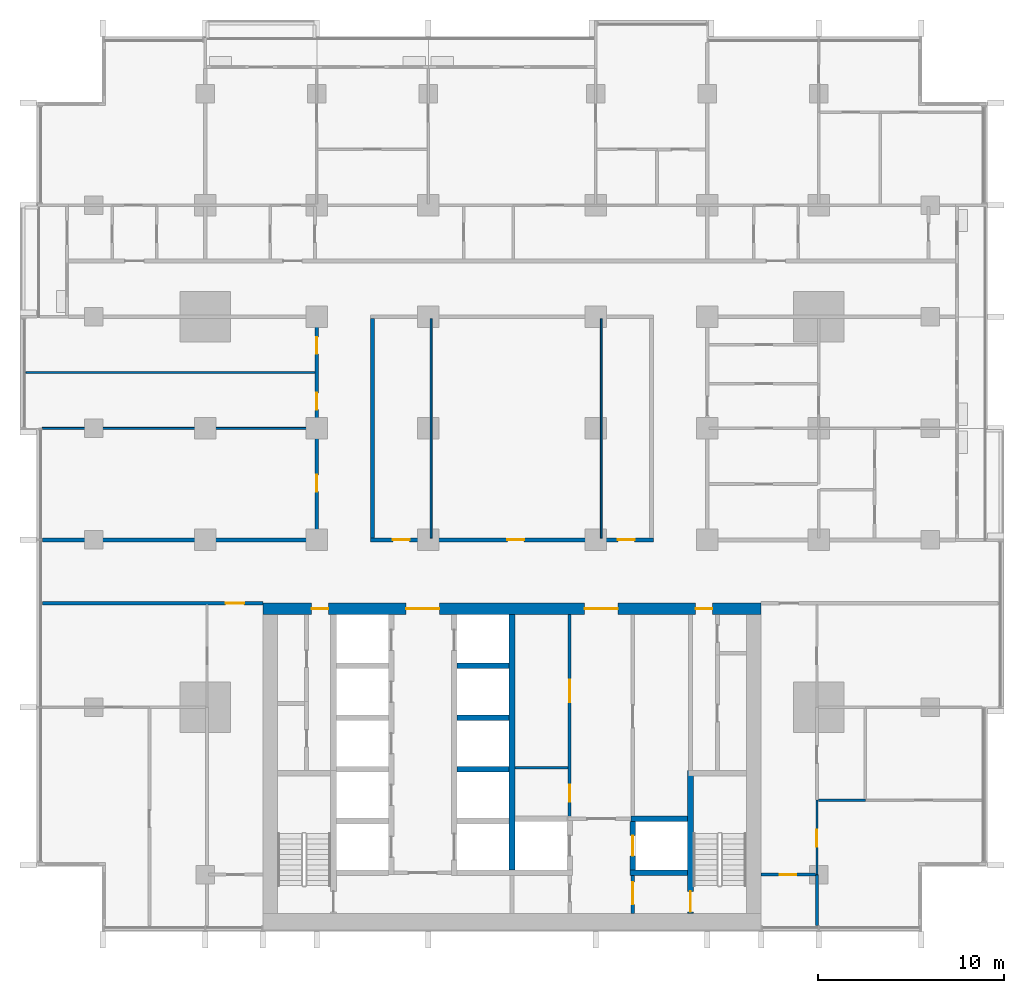
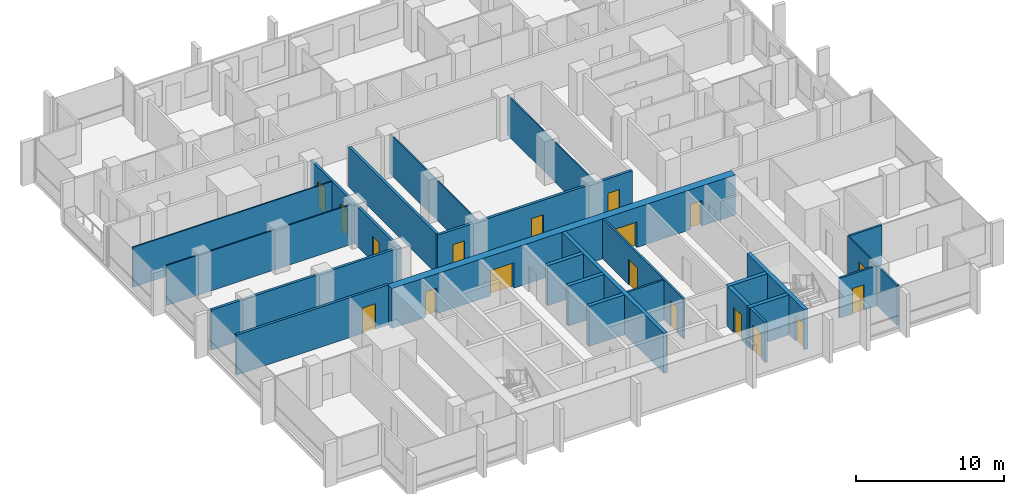
# One storey, part 8 of 17: 25 walls, 18 doors, 18 openings.
"""IFC4 building model written with IfcOpenShell, lengths in metres."""

from ifc_helpers import new_model, si_unit, direction, frame, frame_2d, origin, place, context, subcontext, project, spatial, rectangle, extrude, material, layer, layer_set, type_object, element, fill, save


model = new_model("IFC4")

# Units and contexts
model_context = context("Model", 3, precision=1e-05, world=origin(), true_north=direction((0.0, 1.0)))
body_context = subcontext(model_context, "Body", "Model", "MODEL_VIEW")
ifc_project = project(units=[si_unit("LENGTHUNIT", "METRE"), si_unit("AREAUNIT", "SQUARE_METRE"), si_unit("VOLUMEUNIT", "CUBIC_METRE"), si_unit("PLANEANGLEUNIT", "RADIAN"), si_unit("MASSUNIT", "GRAM", prefix="KILO")], contexts=[model_context])

# Site, building, storey
site_placement = place(None, origin())
site = spatial("IfcSite", under=ifc_project, at=site_placement, CompositionType="ELEMENT")
building_placement = place(site_placement, origin())
building = spatial("IfcBuilding", under=site, at=building_placement, Name="Finial Court Residences", CompositionType="ELEMENT")
storey_placement = place(building_placement, frame((0.0, 0.0, 95.5)))
storey = spatial("IfcBuildingStorey", under=building, at=storey_placement, Name="L23", CompositionType="ELEMENT", Elevation=95.5)

# Wall, openings, doors
ifc_material_1 = material(Name="Concrete C70/85", Category="concrete")
ifc_layer_1 = layer(ifc_material_1, 0.60009765625)
ifc_layer_set_1 = layer_set([ifc_layer_1], Name="Core outer wall 600 Concrete C70/85")
wall_type_1 = type_object("IfcWallType", Name="Core outer wall 600 Concrete C70/85", PredefinedType="SHEAR", material=ifc_layer_set_1)
wall_1_placement = place(storey_placement, frame((-13.39990234375, -8.199951171875, 0.0), z_axis=(0.0, 0.0, 1.0), x_axis=(1.0, 0.0, 0.0)))
wall_1 = element("IfcWall", 1, at=wall_1_placement, inside=storey, type_object=wall_type_1, Name="Core outer wall L23-02", PredefinedType="SHEAR", context=body_context, shape_type="SweptSolid", body=[
    extrude(rectangle(XDim=26.7998046875, YDim=0.60009765625, at=frame_2d((13.39990234375, 0.0))), origin(), (0.0, 0.0, 1.0), 3.300048828125),
])
opening_1_placement = place(wall_1_placement, frame((7.699951171875, 0.0, 0.0)))
opening_1 = element("IfcOpeningElement", 2, at=opening_1_placement, cuts=wall_1, Name="Opening L23-C04", PredefinedType="OPENING", context=body_context, shape_type="SweptSolid", body=[
    extrude(rectangle(XDim=1.800048828125, YDim=2.10009765625, at=frame_2d((0.89990234375, 1.050048828125))), frame((0.0, 0.31005859375, 0.0), z_axis=(0.0, -1.0, 0.0), x_axis=(1.0, 0.0, 0.0)), (0.0, 0.0, 1.0), 0.6201171875),
])
opening_2_placement = place(wall_1_placement, frame((17.300048828125, 0.0, 0.0)))
opening_2 = element("IfcOpeningElement", 3, at=opening_2_placement, cuts=wall_1, Name="Opening L23-C05", PredefinedType="OPENING", context=body_context, shape_type="SweptSolid", body=[
    extrude(rectangle(XDim=1.800048828125, YDim=2.10009765625, at=frame_2d((0.89990234375, 1.050048828125))), frame((0.0, 0.31005859375, 0.0), z_axis=(0.0, -1.0, 0.0), x_axis=(1.0, 0.0, 0.0)), (0.0, 0.0, 1.0), 0.6201171875),
])
opening_3_placement = place(wall_1_placement, frame((2.625, 0.0, 0.0)))
opening_3 = element("IfcOpeningElement", 4, at=opening_3_placement, cuts=wall_1, Name="Opening L23-C10", PredefinedType="OPENING", context=body_context, shape_type="SweptSolid", body=[
    extrude(rectangle(XDim=0.89990234375, YDim=2.10009765625, at=frame_2d((0.449951171875, 1.050048828125))), frame((0.0, 0.31005859375, 0.0), z_axis=(0.0, -1.0, 0.0), x_axis=(1.0, 0.0, 0.0)), (0.0, 0.0, 1.0), 0.6201171875),
])
opening_4_placement = place(wall_1_placement, frame((23.27490234375, 0.0, 0.0)))
opening_4 = element("IfcOpeningElement", 5, at=opening_4_placement, cuts=wall_1, Name="Opening L23-C11", PredefinedType="OPENING", context=body_context, shape_type="SweptSolid", body=[
    extrude(rectangle(XDim=0.89990234375, YDim=2.10009765625, at=frame_2d((0.449951171875, 1.050048828125))), frame((0.0, 0.31005859375, 0.0), z_axis=(0.0, -1.0, 0.0), x_axis=(1.0, 0.0, 0.0)), (0.0, 0.0, 1.0), 0.6201171875),
])
ifc_material_2 = material(Name="Steel fire door", Category="steel")
door_type_1 = type_object("IfcDoorType", Name="Lift lobby door 1800 x 2100 EI 60", OperationType="DOUBLE_DOOR_SINGLE_SWING", PredefinedType="DOOR", material=ifc_material_2)
door_1_placement = place(opening_1_placement, origin())
door_1 = element("IfcDoor", 6, at=door_1_placement, inside=storey, type_object=door_type_1, Name="Lift lobby door L23-C04", OperationType="DOUBLE_DOOR_SINGLE_SWING", OverallHeight=2.10009765625, OverallWidth=1.800048828125, PredefinedType="DOOR", context=body_context, shape_type="SweptSolid", body=[
    extrude(rectangle(XDim=1.800048828125, YDim=2.10009765625, at=frame_2d((0.89990234375, 1.050048828125))), frame((0.0, 0.02490234375, 0.0), z_axis=(0.0, -1.0, 0.0), x_axis=(1.0, 0.0, 0.0)), (0.0, 0.0, 1.0), 0.050048828125),
])
fill(opening_1, door_1)
door_2_placement = place(opening_2_placement, origin())
door_2 = element("IfcDoor", 7, at=door_2_placement, inside=storey, type_object=door_type_1, Name="Lift lobby door L23-C05", OperationType="DOUBLE_DOOR_SINGLE_SWING", OverallHeight=2.10009765625, OverallWidth=1.800048828125, PredefinedType="DOOR", context=body_context, shape_type="SweptSolid", body=[
    extrude(rectangle(XDim=1.800048828125, YDim=2.10009765625, at=frame_2d((0.89990234375, 1.050048828125))), frame((0.0, 0.02490234375, 0.0), z_axis=(0.0, -1.0, 0.0), x_axis=(1.0, 0.0, 0.0)), (0.0, 0.0, 1.0), 0.050048828125),
])
fill(opening_2, door_2)
door_type_2 = type_object("IfcDoorType", Name="Riser room door 900 x 2100 EI 90", OperationType="NOTDEFINED", PredefinedType="DOOR", material=ifc_material_2)
door_3_placement = place(opening_3_placement, origin())
door_3 = element("IfcDoor", 8, at=door_3_placement, inside=storey, type_object=door_type_2, Name="Riser room door L23-C10", OperationType="SINGLE_SWING_RIGHT", OverallHeight=2.10009765625, OverallWidth=0.89990234375, PredefinedType="DOOR", context=body_context, shape_type="SweptSolid", body=[
    extrude(rectangle(XDim=0.89990234375, YDim=2.10009765625, at=frame_2d((0.449951171875, 1.050048828125))), frame((0.0, 0.02490234375, 0.0), z_axis=(0.0, -1.0, 0.0), x_axis=(1.0, 0.0, 0.0)), (0.0, 0.0, 1.0), 0.050048828125),
])
fill(opening_3, door_3)
door_4_placement = place(opening_4_placement, origin())
door_4 = element("IfcDoor", 9, at=door_4_placement, inside=storey, type_object=door_type_2, Name="Riser room door L23-C11", OperationType="SINGLE_SWING_LEFT", OverallHeight=2.10009765625, OverallWidth=0.89990234375, PredefinedType="DOOR", context=body_context, shape_type="SweptSolid", body=[
    extrude(rectangle(XDim=0.89990234375, YDim=2.10009765625, at=frame_2d((0.449951171875, 1.050048828125))), frame((0.0, 0.02490234375, 0.0), z_axis=(0.0, -1.0, 0.0), x_axis=(1.0, 0.0, 0.0)), (0.0, 0.0, 1.0), 0.050048828125),
])
fill(opening_4, door_4)

# Wall
ifc_material_3 = material(Name="Fire-rated gypsum board partition")
ifc_layer_2 = layer(ifc_material_3, 0.14990234375)
ifc_layer_set_2 = layer_set([ifc_layer_2], Name="Core room partition 150 EI 60")
wall_type_2 = type_object("IfcWallType", Name="Core room partition 150 EI 60", PredefinedType="PARTITIONING", material=ifc_layer_set_2)
wall_2_placement = place(storey_placement, frame((0.14990234375, -16.75, 0.0), z_axis=(0.0, 0.0, 1.0), x_axis=(1.0, 0.0, 0.0)))
element("IfcWall", 10, at=wall_2_placement, inside=storey, type_object=wall_type_2, Name="Core partition L23-14", PredefinedType="PARTITIONING", context=body_context, shape_type="SweptSolid", body=[
    extrude(rectangle(XDim=2.875, YDim=0.14990234375, at=frame_2d((1.4375, 0.0))), origin(), (0.0, 0.0, 1.0), 3.300048828125),
])

# Wall, openings, doors
wall_3_placement = place(storey_placement, frame((3.10009765625, -19.39990234375, 0.0), z_axis=(0.0, 0.0, 1.0), x_axis=(0.0, 1.0, 0.0)))
wall_3 = element("IfcWall", 11, at=wall_3_placement, inside=storey, type_object=wall_type_2, Name="Core partition L23-31", PredefinedType="PARTITIONING", context=body_context, shape_type="SweptSolid", body=[
    extrude(rectangle(XDim=10.89990234375, YDim=0.14990234375, at=frame_2d((5.449951171875, 0.0))), origin(), (0.0, 0.0, 1.0), 3.300048828125),
])
opening_5_placement = place(wall_3_placement, frame((0.824951171875, 0.0, 0.0)))
opening_5 = element("IfcOpeningElement", 12, at=opening_5_placement, cuts=wall_3, Name="Opening L23-C14", PredefinedType="OPENING", context=body_context, shape_type="SweptSolid", body=[
    extrude(rectangle(XDim=0.89990234375, YDim=2.10009765625, at=frame_2d((0.449951171875, 1.050048828125))), frame((0.0, 0.0849609375, 0.0), z_axis=(0.0, -1.0, 0.0), x_axis=(1.0, 0.0, 0.0)), (0.0, 0.0, 1.0), 0.169921875),
])
opening_6_placement = place(wall_3_placement, frame((6.175048828125, 0.0, 0.0)))
opening_6 = element("IfcOpeningElement", 13, at=opening_6_placement, cuts=wall_3, Name="Opening L23-C15", PredefinedType="OPENING", context=body_context, shape_type="SweptSolid", body=[
    extrude(rectangle(XDim=1.199951171875, YDim=2.10009765625, at=frame_2d((0.60009765625, 1.050048828125))), frame((0.0, 0.0849609375, 0.0), z_axis=(0.0, -1.0, 0.0), x_axis=(1.0, 0.0, 0.0)), (0.0, 0.0, 1.0), 0.169921875),
])
door_type_3 = type_object("IfcDoorType", Name="Core room door 1200 x 2100 EI 60", OperationType="NOTDEFINED", PredefinedType="DOOR", material=ifc_material_2)
door_5_placement = place(opening_6_placement, origin())
door_5 = element("IfcDoor", 14, at=door_5_placement, inside=storey, type_object=door_type_3, Name="Core room door L23-C15", OperationType="SINGLE_SWING_LEFT", OverallHeight=2.10009765625, OverallWidth=1.199951171875, PredefinedType="DOOR", context=body_context, shape_type="SweptSolid", body=[
    extrude(rectangle(XDim=1.199951171875, YDim=2.10009765625, at=frame_2d((0.60009765625, 1.050048828125))), frame((0.0, 0.02490234375, 0.0), z_axis=(0.0, -1.0, 0.0), x_axis=(1.0, 0.0, 0.0)), (0.0, 0.0, 1.0), 0.050048828125),
])
fill(opening_6, door_5)
door_type_4 = type_object("IfcDoorType", Name="Core room door 900 x 2100 EI 60", OperationType="NOTDEFINED", PredefinedType="DOOR", material=ifc_material_2)
door_6_placement = place(opening_5_placement, origin())
door_6 = element("IfcDoor", 15, at=door_6_placement, inside=storey, type_object=door_type_4, Name="Core room door L23-C14", OperationType="SINGLE_SWING_LEFT", OverallHeight=2.10009765625, OverallWidth=0.89990234375, PredefinedType="DOOR", context=body_context, shape_type="SweptSolid", body=[
    extrude(rectangle(XDim=0.89990234375, YDim=2.10009765625, at=frame_2d((0.449951171875, 1.050048828125))), frame((0.0, 0.02490234375, 0.0), z_axis=(0.0, -1.0, 0.0), x_axis=(1.0, 0.0, 0.0)), (0.0, 0.0, 1.0), 0.050048828125),
])
fill(opening_5, door_6)

# Wall, opening, door
ifc_material_4 = material(Name="Gypsum board")
ifc_layer_3 = layer(ifc_material_4, 0.02490234375)
ifc_material_5 = material(Name="Acoustic mineral wool in double frame")
ifc_layer_4 = layer(ifc_material_5, 0.14990234375)
ifc_layer_5 = layer(ifc_material_4, 0.02490234375)
ifc_layer_set_3 = layer_set([ifc_layer_3, ifc_layer_4, ifc_layer_5], Name="Corridor wall 200, 1 hour")
wall_type_3 = type_object("IfcWallType", Name="Corridor wall 200, 1 hour", PredefinedType="PARTITIONING", material=ifc_layer_set_3)
wall_4_placement = place(storey_placement, frame((-25.25, -7.89990234375, 0.0), z_axis=(0.0, 0.0, 1.0), x_axis=(1.0, 0.0, 0.0)))
wall_4 = element("IfcWall", 16, at=wall_4_placement, inside=storey, type_object=wall_type_3, Name="Partition L23-008", PredefinedType="PARTITIONING", context=body_context, shape_type="SweptSolid", body=[
    extrude(rectangle(XDim=11.85009765625, YDim=0.199951171875, at=frame_2d((5.925048828125, 0.0))), origin(), (0.0, 0.0, 1.0), 3.300048828125),
])
opening_7_placement = place(wall_4_placement, frame((9.85009765625, 0.0, 0.0)))
opening_7 = element("IfcOpeningElement", 17, at=opening_7_placement, cuts=wall_4, Name="Opening L23-D005", PredefinedType="OPENING", context=body_context, shape_type="SweptSolid", body=[
    extrude(rectangle(XDim=1.0, YDim=2.10009765625, at=frame_2d((0.5, 1.050048828125))), frame((0.0, 0.10986328125, 0.0), z_axis=(0.0, -1.0, 0.0), x_axis=(1.0, 0.0, 0.0)), (0.0, 0.0, 1.0), 0.219970703125),
])
ifc_material_6 = material(Name="Timber door leaf in hollow metal frame", Category="wood")
door_type_5 = type_object("IfcDoorType", Name="Fire door set 1000 x 2100, 30 minutes", OperationType="SINGLE_SWING_LEFT", PredefinedType="DOOR", material=ifc_material_6)
door_7_placement = place(opening_7_placement, origin())
door_7 = element("IfcDoor", 18, at=door_7_placement, inside=storey, type_object=door_type_5, Name="Door L23-D005", OperationType="SINGLE_SWING_RIGHT", OverallHeight=2.10009765625, OverallWidth=1.0, PredefinedType="DOOR", context=body_context, shape_type="SweptSolid", body=[
    extrude(rectangle(XDim=1.0, YDim=2.10009765625, at=frame_2d((0.5, 1.050048828125))), frame((0.0, 0.02490234375, 0.0), z_axis=(0.0, -1.0, 0.0), x_axis=(1.0, 0.0, 0.0)), (0.0, 0.0, 1.0), 0.050048828125),
])
fill(opening_7, door_7)

# Wall
wall_5_placement = place(storey_placement, frame((-25.25, -4.5, 0.0), z_axis=(0.0, 0.0, 1.0), x_axis=(1.0, 0.0, 0.0)))
element("IfcWall", 19, at=wall_5_placement, inside=storey, type_object=wall_type_3, Name="Partition L23-010", PredefinedType="PARTITIONING", context=body_context, shape_type="SweptSolid", body=[
    extrude(rectangle(XDim=14.85009765625, YDim=0.199951171875, at=frame_2d((7.425048828125, 0.0))), origin(), (0.0, 0.0, 1.0), 3.300048828125),
])

# Wall, openings, doors
wall_6_placement = place(storey_placement, frame((-7.60009765625, -4.5, 0.0), z_axis=(0.0, 0.0, 1.0), x_axis=(1.0, 0.0, 0.0)))
wall_6 = element("IfcWall", 20, at=wall_6_placement, inside=storey, type_object=wall_type_3, Name="Partition L23-011", PredefinedType="PARTITIONING", context=body_context, shape_type="SweptSolid", body=[
    extrude(rectangle(XDim=15.2001953125, YDim=0.199951171875, at=frame_2d((7.60009765625, 0.0))), origin(), (0.0, 0.0, 1.0), 3.300048828125),
])
opening_8_placement = place(wall_6_placement, frame((1.199951171875, 0.0, 0.0)))
opening_8 = element("IfcOpeningElement", 21, at=opening_8_placement, cuts=wall_6, Name="Opening L23-D007", PredefinedType="OPENING", context=body_context, shape_type="SweptSolid", body=[
    extrude(rectangle(XDim=0.89990234375, YDim=2.10009765625, at=frame_2d((0.449951171875, 1.050048828125))), frame((0.0, 0.10986328125, 0.0), z_axis=(0.0, -1.0, 0.0), x_axis=(1.0, 0.0, 0.0)), (0.0, 0.0, 1.0), 0.219970703125),
])
opening_9_placement = place(wall_6_placement, frame((7.35009765625, 0.0, 0.0)))
opening_9 = element("IfcOpeningElement", 22, at=opening_9_placement, cuts=wall_6, Name="Opening L23-D008", PredefinedType="OPENING", context=body_context, shape_type="SweptSolid", body=[
    extrude(rectangle(XDim=0.89990234375, YDim=2.10009765625, at=frame_2d((0.449951171875, 1.050048828125))), frame((0.0, 0.10986328125, 0.0), z_axis=(0.0, -1.0, 0.0), x_axis=(1.0, 0.0, 0.0)), (0.0, 0.0, 1.0), 0.219970703125),
])
opening_10_placement = place(wall_6_placement, frame((13.300048828125, 0.0, 0.0)))
opening_10 = element("IfcOpeningElement", 23, at=opening_10_placement, cuts=wall_6, Name="Opening L23-D009", PredefinedType="OPENING", context=body_context, shape_type="SweptSolid", body=[
    extrude(rectangle(XDim=0.89990234375, YDim=2.10009765625, at=frame_2d((0.449951171875, 1.050048828125))), frame((0.0, 0.10986328125, 0.0), z_axis=(0.0, -1.0, 0.0), x_axis=(1.0, 0.0, 0.0)), (0.0, 0.0, 1.0), 0.219970703125),
])
door_type_6 = type_object("IfcDoorType", Name="Fire door set 900 x 2100, 30 minutes", OperationType="SINGLE_SWING_LEFT", PredefinedType="DOOR", material=ifc_material_6)
door_8_placement = place(opening_8_placement, origin())
door_8 = element("IfcDoor", 24, at=door_8_placement, inside=storey, type_object=door_type_6, Name="Door L23-D007", OperationType="SINGLE_SWING_RIGHT", OverallHeight=2.10009765625, OverallWidth=0.89990234375, PredefinedType="DOOR", context=body_context, shape_type="SweptSolid", body=[
    extrude(rectangle(XDim=0.89990234375, YDim=2.10009765625, at=frame_2d((0.449951171875, 1.050048828125))), frame((0.0, 0.02490234375, 0.0), z_axis=(0.0, -1.0, 0.0), x_axis=(1.0, 0.0, 0.0)), (0.0, 0.0, 1.0), 0.050048828125),
])
fill(opening_8, door_8)
door_9_placement = place(opening_9_placement, origin())
door_9 = element("IfcDoor", 25, at=door_9_placement, inside=storey, type_object=door_type_6, Name="Door L23-D008", OperationType="SINGLE_SWING_LEFT", OverallHeight=2.10009765625, OverallWidth=0.89990234375, PredefinedType="DOOR", context=body_context, shape_type="SweptSolid", body=[
    extrude(rectangle(XDim=0.89990234375, YDim=2.10009765625, at=frame_2d((0.449951171875, 1.050048828125))), frame((0.0, 0.02490234375, 0.0), z_axis=(0.0, -1.0, 0.0), x_axis=(1.0, 0.0, 0.0)), (0.0, 0.0, 1.0), 0.050048828125),
])
fill(opening_9, door_9)
door_10_placement = place(opening_10_placement, origin())
door_10 = element("IfcDoor", 26, at=door_10_placement, inside=storey, type_object=door_type_6, Name="Door L23-D009", OperationType="SINGLE_SWING_LEFT", OverallHeight=2.10009765625, OverallWidth=0.89990234375, PredefinedType="DOOR", context=body_context, shape_type="SweptSolid", body=[
    extrude(rectangle(XDim=0.89990234375, YDim=2.10009765625, at=frame_2d((0.449951171875, 1.050048828125))), frame((0.0, 0.02490234375, 0.0), z_axis=(0.0, -1.0, 0.0), x_axis=(1.0, 0.0, 0.0)), (0.0, 0.0, 1.0), 0.050048828125),
])
fill(opening_10, door_10)

wall_7_placement = place(storey_placement, frame((-10.5, -4.39990234375, 0.0), z_axis=(0.0, 0.0, 1.0), x_axis=(0.0, 1.0, 0.0)))
wall_7 = element("IfcWall", 27, at=wall_7_placement, inside=storey, type_object=wall_type_3, Name="Partition L23-048", PredefinedType="PARTITIONING", context=body_context, shape_type="SweptSolid", body=[
    extrude(rectangle(XDim=11.7998046875, YDim=0.199951171875, at=frame_2d((5.89990234375, 0.0))), origin(), (0.0, 0.0, 1.0), 3.300048828125),
])
opening_11_placement = place(wall_7_placement, frame((2.5, 0.0, 0.0)))
opening_11 = element("IfcOpeningElement", 28, at=opening_11_placement, cuts=wall_7, Name="Opening L23-D033", PredefinedType="OPENING", context=body_context, shape_type="SweptSolid", body=[
    extrude(rectangle(XDim=0.89990234375, YDim=2.10009765625, at=frame_2d((0.449951171875, 1.050048828125))), frame((0.0, 0.10986328125, 0.0), z_axis=(0.0, -1.0, 0.0), x_axis=(1.0, 0.0, 0.0)), (0.0, 0.0, 1.0), 0.219970703125),
])
opening_12_placement = place(wall_7_placement, frame((6.89990234375, 0.0, 0.0)))
opening_12 = element("IfcOpeningElement", 29, at=opening_12_placement, cuts=wall_7, Name="Opening L23-D034", PredefinedType="OPENING", context=body_context, shape_type="SweptSolid", body=[
    extrude(rectangle(XDim=0.89990234375, YDim=2.10009765625, at=frame_2d((0.449951171875, 1.050048828125))), frame((0.0, 0.10986328125, 0.0), z_axis=(0.0, -1.0, 0.0), x_axis=(1.0, 0.0, 0.0)), (0.0, 0.0, 1.0), 0.219970703125),
])
opening_13_placement = place(wall_7_placement, frame((9.89990234375, 0.0, 0.0)))
opening_13 = element("IfcOpeningElement", 30, at=opening_13_placement, cuts=wall_7, Name="Opening L23-D035", PredefinedType="OPENING", context=body_context, shape_type="SweptSolid", body=[
    extrude(rectangle(XDim=0.89990234375, YDim=2.10009765625, at=frame_2d((0.449951171875, 1.050048828125))), frame((0.0, 0.10986328125, 0.0), z_axis=(0.0, -1.0, 0.0), x_axis=(1.0, 0.0, 0.0)), (0.0, 0.0, 1.0), 0.219970703125),
])
door_11_placement = place(opening_11_placement, origin())
door_11 = element("IfcDoor", 31, at=door_11_placement, inside=storey, type_object=door_type_6, Name="Door L23-D033", OperationType="SINGLE_SWING_RIGHT", OverallHeight=2.10009765625, OverallWidth=0.89990234375, PredefinedType="DOOR", context=body_context, shape_type="SweptSolid", body=[
    extrude(rectangle(XDim=0.89990234375, YDim=2.10009765625, at=frame_2d((0.449951171875, 1.050048828125))), frame((0.0, 0.02490234375, 0.0), z_axis=(0.0, -1.0, 0.0), x_axis=(1.0, 0.0, 0.0)), (0.0, 0.0, 1.0), 0.050048828125),
])
fill(opening_11, door_11)
door_12_placement = place(opening_12_placement, origin())
door_12 = element("IfcDoor", 32, at=door_12_placement, inside=storey, type_object=door_type_6, Name="Door L23-D034", OperationType="SINGLE_SWING_LEFT", OverallHeight=2.10009765625, OverallWidth=0.89990234375, PredefinedType="DOOR", context=body_context, shape_type="SweptSolid", body=[
    extrude(rectangle(XDim=0.89990234375, YDim=2.10009765625, at=frame_2d((0.449951171875, 1.050048828125))), frame((0.0, 0.02490234375, 0.0), z_axis=(0.0, -1.0, 0.0), x_axis=(1.0, 0.0, 0.0)), (0.0, 0.0, 1.0), 0.050048828125),
])
fill(opening_12, door_12)
door_13_placement = place(opening_13_placement, origin())
door_13 = element("IfcDoor", 33, at=door_13_placement, inside=storey, type_object=door_type_6, Name="Door L23-D035", OperationType="SINGLE_SWING_LEFT", OverallHeight=2.10009765625, OverallWidth=0.89990234375, PredefinedType="DOOR", context=body_context, shape_type="SweptSolid", body=[
    extrude(rectangle(XDim=0.89990234375, YDim=2.10009765625, at=frame_2d((0.449951171875, 1.050048828125))), frame((0.0, 0.02490234375, 0.0), z_axis=(0.0, -1.0, 0.0), x_axis=(1.0, 0.0, 0.0)), (0.0, 0.0, 1.0), 0.050048828125),
])
fill(opening_13, door_13)

# Wall
wall_8_placement = place(storey_placement, frame((-7.5, -4.39990234375, 0.0), z_axis=(0.0, 0.0, 1.0), x_axis=(0.0, 1.0, 0.0)))
element("IfcWall", 34, at=wall_8_placement, inside=storey, type_object=wall_type_3, Name="Partition L23-050", PredefinedType="PARTITIONING", context=body_context, shape_type="SweptSolid", body=[
    extrude(rectangle(XDim=11.7998046875, YDim=0.199951171875, at=frame_2d((5.89990234375, 0.0))), origin(), (0.0, 0.0, 1.0), 3.300048828125),
])

# Wall, opening, door
ifc_layer_6 = layer(ifc_material_3, 0.199951171875)
ifc_layer_set_4 = layer_set([ifc_layer_6], Name="Firefighting lobby wall 200 EI 120")
wall_type_4 = type_object("IfcWallType", Name="Firefighting lobby wall 200 EI 120", PredefinedType="PARTITIONING", material=ifc_layer_set_4)
wall_9_placement = place(storey_placement, frame((6.5, -22.550048828125, 0.0), z_axis=(0.0, 0.0, 1.0), x_axis=(0.0, -1.0, 0.0)))
wall_9 = element("IfcWall", 35, at=wall_9_placement, inside=storey, type_object=wall_type_4, Name="Core partition L23-32", PredefinedType="PARTITIONING", context=body_context, shape_type="SweptSolid", body=[
    extrude(rectangle(XDim=2.050048828125, YDim=0.199951171875, at=frame_2d((1.02490234375, 0.0))), origin(), (0.0, 0.0, 1.0), 3.300048828125),
])
opening_14_placement = place(wall_9_placement, frame((0.35009765625, 0.0, 0.0)))
opening_14 = element("IfcOpeningElement", 36, at=opening_14_placement, cuts=wall_9, Name="Opening L23-C01", PredefinedType="OPENING", context=body_context, shape_type="SweptSolid", body=[
    extrude(rectangle(XDim=1.199951171875, YDim=2.10009765625, at=frame_2d((0.60009765625, 1.050048828125))), frame((0.0, 0.10986328125, 0.0), z_axis=(0.0, -1.0, 0.0), x_axis=(1.0, 0.0, 0.0)), (0.0, 0.0, 1.0), 0.219970703125),
])
door_type_7 = type_object("IfcDoorType", Name="Firefighting lobby door 1200 x 2100 EI 90", OperationType="NOTDEFINED", PredefinedType="DOOR", material=ifc_material_2)
door_14_placement = place(opening_14_placement, origin())
door_14 = element("IfcDoor", 37, at=door_14_placement, inside=storey, type_object=door_type_7, Name="Firefighting lobby door L23-C01", OperationType="SINGLE_SWING_RIGHT", OverallHeight=2.10009765625, OverallWidth=1.199951171875, PredefinedType="DOOR", context=body_context, shape_type="SweptSolid", body=[
    extrude(rectangle(XDim=1.199951171875, YDim=2.10009765625, at=frame_2d((0.60009765625, 1.050048828125))), frame((0.0, 0.02490234375, 0.0), z_axis=(0.0, -1.0, 0.0), x_axis=(1.0, 0.0, 0.0)), (0.0, 0.0, 1.0), 0.050048828125),
])
fill(opening_14, door_14)

# Walls
ifc_layer_7 = layer(ifc_material_4, 0.012451171875)
ifc_material_7 = material(Name="Mineral wool in light-gauge frame")
ifc_layer_8 = layer(ifc_material_7, 0.074951171875)
ifc_layer_9 = layer(ifc_material_4, 0.012451171875)
ifc_layer_set_5 = layer_set([ifc_layer_7, ifc_layer_8, ifc_layer_9], Name="Gypsum board partition 100")
wall_type_5 = type_object("IfcWallType", Name="Gypsum board partition 100", PredefinedType="PARTITIONING", material=ifc_layer_set_5)
wall_10_placement = place(storey_placement, frame((-25.25, 1.5, 0.0), z_axis=(0.0, 0.0, 1.0), x_axis=(1.0, 0.0, 0.0)))
element("IfcWall", 38, at=wall_10_placement, inside=storey, type_object=wall_type_5, Name="Partition L23-015", PredefinedType="PARTITIONING", context=body_context, shape_type="SweptSolid", body=[
    extrude(rectangle(XDim=14.64990234375, YDim=0.10009765625, at=frame_2d((7.324951171875, 0.0))), origin(), (0.0, 0.0, 1.0), 3.300048828125),
])
wall_11_placement = place(storey_placement, frame((-26.14990234375, 4.5, 0.0), z_axis=(0.0, 0.0, 1.0), x_axis=(1.0, 0.0, 0.0)))
element("IfcWall", 39, at=wall_11_placement, inside=storey, type_object=wall_type_5, Name="Partition L23-019", PredefinedType="PARTITIONING", context=body_context, shape_type="SweptSolid", body=[
    extrude(rectangle(XDim=15.5498046875, YDim=0.10009765625, at=frame_2d((7.77490234375, 0.0))), origin(), (0.0, 0.0, 1.0), 3.300048828125),
])
for number, where, z_axis, x_axis, name in (
    (40, (-4.35009765625, -4.39990234375, 0.0), (0.0, 0.0, 1.0), (0.0, 1.0, 0.0), "Partition L23-052"),
    (41, (4.800048828125, -4.39990234375, 0.0), (0.0, 0.0, 1.0), (0.0, 1.0, 0.0), "Partition L23-056"),
):
    element("IfcWall", number, at=place(storey_placement, frame(where, z_axis=z_axis, x_axis=x_axis)), inside=storey, type_object=wall_type_5, Name=name, PredefinedType="PARTITIONING", context=body_context, shape_type="SweptSolid", body=[
        extrude(rectangle(XDim=11.7998046875, YDim=0.10009765625, at=frame_2d((5.89990234375, 0.0))), origin(), (0.0, 0.0, 1.0), 3.300048828125),
    ])

# Wall, opening, door
wall_12_placement = place(storey_placement, frame((16.39990234375, -22.5, 0.0), z_axis=(0.0, 0.0, 1.0), x_axis=(0.0, 1.0, 0.0)))
wall_12 = element("IfcWall", 42, at=wall_12_placement, inside=storey, type_object=wall_type_5, Name="Partition L23-064", PredefinedType="PARTITIONING", context=body_context, shape_type="SweptSolid", body=[
    extrude(rectangle(XDim=4.0, YDim=0.10009765625, at=frame_2d((2.0, 0.0))), origin(), (0.0, 0.0, 1.0), 3.300048828125),
])
opening_15_placement = place(wall_12_placement, frame((1.5, 0.0, 0.0)))
opening_15 = element("IfcOpeningElement", 43, at=opening_15_placement, cuts=wall_12, Name="Opening L23-D043", PredefinedType="OPENING", context=body_context, shape_type="SweptSolid", body=[
    extrude(rectangle(XDim=0.89990234375, YDim=2.10009765625, at=frame_2d((0.449951171875, 1.050048828125))), frame((0.0, 0.06005859375, 0.0), z_axis=(0.0, -1.0, 0.0), x_axis=(1.0, 0.0, 0.0)), (0.0, 0.0, 1.0), 0.1201171875),
])
ifc_material_8 = material(Name="Timber door leaf in timber frame", Category="wood")
door_type_8 = type_object("IfcDoorType", Name="Door set 900 x 2100", OperationType="SINGLE_SWING_LEFT", PredefinedType="DOOR", material=ifc_material_8)
door_15_placement = place(opening_15_placement, origin())
door_15 = element("IfcDoor", 44, at=door_15_placement, inside=storey, type_object=door_type_8, Name="Door L23-D043", OperationType="SINGLE_SWING_LEFT", OverallHeight=2.10009765625, OverallWidth=0.89990234375, PredefinedType="DOOR", context=body_context, shape_type="SweptSolid", body=[
    extrude(rectangle(XDim=0.89990234375, YDim=2.10009765625, at=frame_2d((0.449951171875, 1.050048828125))), frame((0.0, 0.02490234375, 0.0), z_axis=(0.0, -1.0, 0.0), x_axis=(1.0, 0.0, 0.0)), (0.0, 0.0, 1.0), 0.050048828125),
])
fill(opening_15, door_15)

ifc_material_9 = material(Name="Moisture-resistant gypsum board")
ifc_layer_10 = layer(ifc_material_9, 0.012451171875)
ifc_layer_11 = layer(ifc_material_7, 0.125)
ifc_layer_12 = layer(ifc_material_9, 0.012451171875)
ifc_layer_set_6 = layer_set([ifc_layer_10, ifc_layer_11, ifc_layer_12], Name="Gypsum board wet-area partition 150")
wall_type_6 = type_object("IfcWallType", Name="Gypsum board wet-area partition 150", PredefinedType="PARTITIONING", material=ifc_layer_set_6)
wall_13_placement = place(storey_placement, frame((13.39990234375, -22.5, 0.0), z_axis=(0.0, 0.0, 1.0), x_axis=(1.0, 0.0, 0.0)))
wall_13 = element("IfcWall", 45, at=wall_13_placement, inside=storey, type_object=wall_type_6, Name="Partition L23-001", PredefinedType="PARTITIONING", context=body_context, shape_type="SweptSolid", body=[
    extrude(rectangle(XDim=2.925048828125, YDim=0.14990234375, at=frame_2d((1.46240234375, 0.0))), origin(), (0.0, 0.0, 1.0), 3.300048828125),
])
opening_16_placement = place(wall_13_placement, frame((1.0, 0.0, 0.0)))
opening_16 = element("IfcOpeningElement", 46, at=opening_16_placement, cuts=wall_13, Name="Opening L23-D002", PredefinedType="OPENING", context=body_context, shape_type="SweptSolid", body=[
    extrude(rectangle(XDim=0.89990234375, YDim=2.10009765625, at=frame_2d((0.449951171875, 1.050048828125))), frame((0.0, 0.0849609375, 0.0), z_axis=(0.0, -1.0, 0.0), x_axis=(1.0, 0.0, 0.0)), (0.0, 0.0, 1.0), 0.169921875),
])
door_16_placement = place(opening_16_placement, origin())
door_16 = element("IfcDoor", 47, at=door_16_placement, inside=storey, type_object=door_type_8, Name="Door L23-D002", OperationType="SINGLE_SWING_LEFT", OverallHeight=2.10009765625, OverallWidth=0.89990234375, PredefinedType="DOOR", context=body_context, shape_type="SweptSolid", body=[
    extrude(rectangle(XDim=0.89990234375, YDim=2.10009765625, at=frame_2d((0.449951171875, 1.050048828125))), frame((0.0, 0.02490234375, 0.0), z_axis=(0.0, -1.0, 0.0), x_axis=(1.0, 0.0, 0.0)), (0.0, 0.0, 1.0), 0.050048828125),
])
fill(opening_16, door_16)

# Walls
wall_14_placement = place(storey_placement, frame((16.47509765625, -18.5, 0.0), z_axis=(0.0, 0.0, 1.0), x_axis=(1.0, 0.0, 0.0)))
element("IfcWall", 48, at=wall_14_placement, inside=storey, type_object=wall_type_6, Name="Partition L23-003", PredefinedType="PARTITIONING", context=body_context, shape_type="SweptSolid", body=[
    extrude(rectangle(XDim=2.52490234375, YDim=0.14990234375, at=frame_2d((1.262451171875, 0.0))), origin(), (0.0, 0.0, 1.0), 3.300048828125),
])
wall_15_placement = place(storey_placement, frame((16.39990234375, -25.25, 0.0), z_axis=(0.0, 0.0, 1.0), x_axis=(0.0, 1.0, 0.0)))
element("IfcWall", 49, at=wall_15_placement, inside=storey, type_object=wall_type_6, Name="Partition L23-066", PredefinedType="PARTITIONING", context=body_context, shape_type="SweptSolid", body=[
    extrude(rectangle(XDim=2.75, YDim=0.14990234375, at=frame_2d((1.375, 0.0))), origin(), (0.0, 0.0, 1.0), 3.300048828125),
])
ifc_layer_13 = layer(ifc_material_1, 0.300048828125)
ifc_layer_set_7 = layer_set([ifc_layer_13], Name="Lift shaft and stair wall 300 Concrete C70/85")
wall_type_7 = type_object("IfcWallType", Name="Lift shaft and stair wall 300 Concrete C70/85", PredefinedType="SHEAR", material=ifc_layer_set_7)
wall_16_placement = place(storey_placement, frame((6.35009765625, -22.39990234375, 0.0), z_axis=(0.0, 0.0, 1.0), x_axis=(1.0, 0.0, 0.0)))
element("IfcWall", 50, at=wall_16_placement, inside=storey, type_object=wall_type_7, Name="Core wall L23-04", PredefinedType="SHEAR", context=body_context, shape_type="SweptSolid", body=[
    extrude(rectangle(XDim=3.099853515625, YDim=0.300048828125, at=frame_2d((1.5498046875, 0.0))), origin(), (0.0, 0.0, 1.0), 3.300048828125),
])
wall_17_placement = place(storey_placement, frame((6.39990234375, -19.5, 0.0), z_axis=(0.0, 0.0, 1.0), x_axis=(1.0, 0.0, 0.0)))
element("IfcWall", 51, at=wall_17_placement, inside=storey, type_object=wall_type_7, Name="Core wall L23-09", PredefinedType="SHEAR", context=body_context, shape_type="SweptSolid", body=[
    extrude(rectangle(XDim=3.050048828125, YDim=0.300048828125, at=frame_2d((1.52490234375, 0.0))), origin(), (0.0, 0.0, 1.0), 3.300048828125),
])
for number, where, z_axis, x_axis, name in (
    (52, (-2.949951171875, -16.840087890625, 0.0), (0.0, 0.0, 1.0), (1.0, 0.0, 0.0), "Core wall L23-13"),
    (53, (-2.949951171875, -14.06005859375, 0.0), (0.0, 0.0, 1.0), (1.0, 0.0, 0.0), "Core wall L23-16"),
    (54, (-2.949951171875, -11.280029296875, 0.0), (0.0, 0.0, 1.0), (1.0, 0.0, 0.0), "Core wall L23-19"),
):
    element("IfcWall", number, at=place(storey_placement, frame(where, z_axis=z_axis, x_axis=x_axis)), inside=storey, type_object=wall_type_7, Name=name, PredefinedType="SHEAR", context=body_context, shape_type="SweptSolid", body=[
        extrude(rectangle(XDim=2.800048828125, YDim=0.300048828125, at=frame_2d((1.39990234375, 0.0))), origin(), (0.0, 0.0, 1.0), 3.300048828125),
    ])
wall_18_placement = place(storey_placement, frame((0.0, -22.25, 0.0), z_axis=(0.0, 0.0, 1.0), x_axis=(0.0, 1.0, 0.0)))
element("IfcWall", 55, at=wall_18_placement, inside=storey, type_object=wall_type_7, Name="Core wall L23-28", PredefinedType="SHEAR", context=body_context, shape_type="SweptSolid", body=[
    extrude(rectangle(XDim=13.75, YDim=0.300048828125, at=frame_2d((6.875, 0.0))), origin(), (0.0, 0.0, 1.0), 3.300048828125),
])

# Wall, opening, door
wall_19_placement = place(storey_placement, frame((6.5, -22.25, 0.0), z_axis=(0.0, 0.0, 1.0), x_axis=(0.0, 1.0, 0.0)))
wall_19 = element("IfcWall", 56, at=wall_19_placement, inside=storey, type_object=wall_type_7, Name="Core wall L23-33", PredefinedType="SHEAR", context=body_context, shape_type="SweptSolid", body=[
    extrude(rectangle(XDim=2.60009765625, YDim=0.300048828125, at=frame_2d((1.300048828125, 0.0))), origin(), (0.0, 0.0, 1.0), 3.300048828125),
])
opening_17_placement = place(wall_19_placement, frame((0.75, 0.0, 0.0)))
opening_17 = element("IfcOpeningElement", 57, at=opening_17_placement, cuts=wall_19, Name="Opening L23-LD02", PredefinedType="OPENING", context=body_context, shape_type="SweptSolid", body=[
    extrude(rectangle(XDim=1.10009765625, YDim=2.10009765625, at=frame_2d((0.550048828125, 1.050048828125))), frame((0.0, 0.159912109375, 0.0), z_axis=(0.0, -1.0, 0.0), x_axis=(1.0, 0.0, 0.0)), (0.0, 0.0, 1.0), 0.320068359375),
])
ifc_material_10 = material(Name="Stainless steel lift door", Category="steel")
door_type_9 = type_object("IfcDoorType", Name="Lift landing door 1100 x 2100 EI 90", OperationType="DOUBLE_DOOR_SLIDING", PredefinedType="DOOR", material=ifc_material_10)
door_17_placement = place(opening_17_placement, origin())
door_17 = element("IfcDoor", 58, at=door_17_placement, inside=storey, type_object=door_type_9, Name="Lift landing door FF2 L23", OperationType="DOUBLE_DOOR_SLIDING", OverallHeight=2.10009765625, OverallWidth=1.10009765625, PredefinedType="DOOR", context=body_context, shape_type="SweptSolid", body=[
    extrude(rectangle(XDim=1.10009765625, YDim=2.10009765625, at=frame_2d((0.550048828125, 1.050048828125))), frame((0.0, 0.02490234375, 0.0), z_axis=(0.0, -1.0, 0.0), x_axis=(1.0, 0.0, 0.0)), (0.0, 0.0, 1.0), 0.050048828125),
])
fill(opening_17, door_17)

wall_20_placement = place(storey_placement, frame((9.60009765625, -16.89990234375, 0.0), z_axis=(0.0, 0.0, 1.0), x_axis=(0.0, -1.0, 0.0)))
wall_20 = element("IfcWall", 59, at=wall_20_placement, inside=storey, type_object=wall_type_7, Name="Core wall L23-35", PredefinedType="SHEAR", context=body_context, shape_type="SweptSolid", body=[
    extrude(rectangle(XDim=7.7001953125, YDim=0.300048828125, at=frame_2d((3.85009765625, 0.0))), origin(), (0.0, 0.0, 1.0), 3.300048828125),
])
opening_18_placement = place(wall_20_placement, frame((6.5, 0.0, 0.0)))
opening_18 = element("IfcOpeningElement", 60, at=opening_18_placement, cuts=wall_20, Name="Opening L23-C17", PredefinedType="OPENING", context=body_context, shape_type="SweptSolid", body=[
    extrude(rectangle(XDim=1.10009765625, YDim=2.10009765625, at=frame_2d((0.550048828125, 1.050048828125))), frame((0.0, 0.159912109375, 0.0), z_axis=(0.0, -1.0, 0.0), x_axis=(1.0, 0.0, 0.0)), (0.0, 0.0, 1.0), 0.320068359375),
])
door_type_10 = type_object("IfcDoorType", Name="Stair door 1100 x 2100 EI 90", OperationType="NOTDEFINED", PredefinedType="DOOR", material=ifc_material_2)
door_18_placement = place(opening_18_placement, origin())
door_18 = element("IfcDoor", 61, at=door_18_placement, inside=storey, type_object=door_type_10, Name="Stair door L23-C17", OperationType="SINGLE_SWING_RIGHT", OverallHeight=2.10009765625, OverallWidth=1.10009765625, PredefinedType="DOOR", context=body_context, shape_type="SweptSolid", body=[
    extrude(rectangle(XDim=1.10009765625, YDim=2.10009765625, at=frame_2d((0.550048828125, 1.050048828125))), frame((0.0, 0.02490234375, 0.0), z_axis=(0.0, -1.0, 0.0), x_axis=(1.0, 0.0, 0.0)), (0.0, 0.0, 1.0), 0.050048828125),
])
fill(opening_18, door_18)

save(model, "model.ifc")
